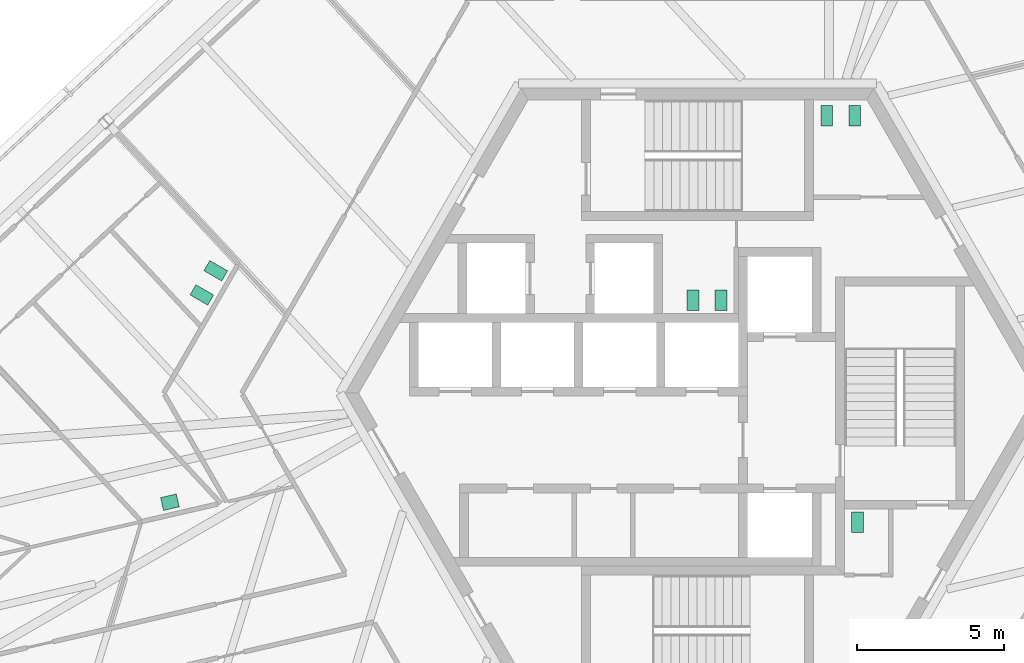
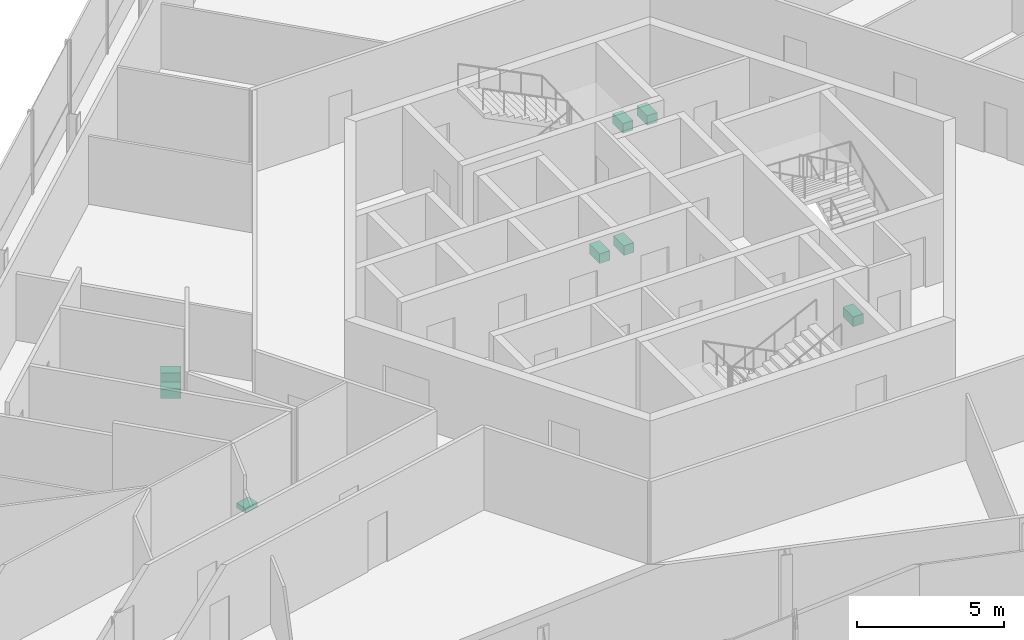
# One storey, part 22 of 24: 8 sanitary terminals.
"""IFC4 building model written with IfcOpenShell, lengths in metres."""

import ifcopenshell
import ifcopenshell.guid

model = None  # the IFC model being written
_history = None  # IfcOwnerHistory: only IFC2X3 demands one
_inside = {}  # id of a spatial element -> (the spatial element, [elements in it])
_under = {}  # id of a project, library or spatial element -> (it, [spatial elements below it])
_declared = {}  # id of a project -> (the project, [libraries it declares])
_typed = {}  # id of a type object -> (the type object, [elements of that type])
_made_of = {}  # id of a material, layer set ... -> (it, [elements and type objects made of it])


def new_model(schema):
    """Start an empty IFC model of exactly this schema.

    Asked for "IFC4X3", IfcOpenShell would pick the latest addendum, in which some entities
    have other attributes; the version numbers below select the first issue.
    IFC2X3 requires an IfcOwnerHistory on every rooted entity: one is made here for all.
    """
    global model, _history
    if schema == "IFC4X3":
        model = ifcopenshell.file(schema_version=(4, 3, 0, 0))
    else:
        model = ifcopenshell.file(schema=schema)
    _inside.clear()
    _under.clear()
    _declared.clear()
    _typed.clear()
    _made_of.clear()
    _history = None
    if model.schema == "IFC2X3":
        org = make("IfcOrganization", Name="unknown")
        user = make(
            "IfcPersonAndOrganization",
            ThePerson=make("IfcPerson", FamilyName="unknown"),
            TheOrganization=org,
        )
        app = make(
            "IfcApplication",
            ApplicationDeveloper=org,
            Version="unknown",
            ApplicationFullName="unknown",
            ApplicationIdentifier="unknown",
        )
        _history = make(
            "IfcOwnerHistory",
            OwningUser=user,
            OwningApplication=app,
            ChangeAction="ADDED",
            CreationDate=0,
        )
    return model


def make(cls, **values):
    """One entity of the class cls with the attributes given. An attribute that is None is left unset."""
    return model.create_entity(
        cls, **{name: value for name, value in values.items() if value is not None}
    )


def rooted(cls, **values):
    """An entity with a GlobalId (a new one), such as an element, a storey or a relation."""
    return make(cls, GlobalId=ifcopenshell.guid.new(), OwnerHistory=_history, **values)


def si_unit(unit_type, name, prefix=None):
    """IfcSIUnit, for example si_unit("LENGTHUNIT", "METRE", prefix="MILLI")."""
    return make("IfcSIUnit", UnitType=unit_type, Prefix=prefix, Name=name)


def assignment(units):
    """IfcUnitAssignment: the units of a project."""
    return None if units is None else make("IfcUnitAssignment", Units=units)


def point(xyz):
    """IfcCartesianPoint."""
    return None if xyz is None else make("IfcCartesianPoint", Coordinates=xyz)


def direction(xyz):
    """IfcDirection."""
    return None if xyz is None else make("IfcDirection", DirectionRatios=xyz)


def frame(location, z_axis=None, x_axis=None):
    """IfcAxis2Placement3D, a coordinate frame: its origin and axes. An axis left out is left unset."""
    return make(
        "IfcAxis2Placement3D",
        Location=point(location),
        Axis=direction(z_axis),
        RefDirection=direction(x_axis),
    )


def frame_2d(location, x_axis=None):
    """IfcAxis2Placement2D, a coordinate frame in the plane: its origin and x axis."""
    return make(
        "IfcAxis2Placement2D", Location=point(location), RefDirection=direction(x_axis)
    )


def origin():
    """The frame at (0, 0, 0) with its axes left unset."""
    return frame((0.0, 0.0, 0.0))


def origin_2d():
    """The frame at (0, 0) in the plane with its x axis left unset."""
    return frame_2d((0.0, 0.0))


def place(relative_to, where):
    """IfcLocalPlacement: puts the frame where relative to a parent placement (None: the world)."""
    return make(
        "IfcLocalPlacement", PlacementRelTo=relative_to, RelativePlacement=where
    )


def context(
    kind, dimensions, precision=None, world=None, true_north=None, identifier=None
):
    """IfcGeometricRepresentationContext, for example the 3D "Model" context."""
    return make(
        "IfcGeometricRepresentationContext",
        ContextIdentifier=identifier,
        ContextType=kind,
        CoordinateSpaceDimension=dimensions,
        Precision=precision,
        WorldCoordinateSystem=world,
        TrueNorth=true_north,
    )


def subcontext(parent, identifier, kind, view, scale=None):
    """IfcGeometricRepresentationSubContext, for example "Body" below "Model"."""
    return make(
        "IfcGeometricRepresentationSubContext",
        ContextIdentifier=identifier,
        ContextType=kind,
        ParentContext=parent,
        TargetScale=scale,
        TargetView=view,
    )


def project(units=None, contexts=None):
    """IfcProject with its units and contexts."""
    return rooted(
        "IfcProject",
        Name="project",
        RepresentationContexts=contexts,
        UnitsInContext=assignment(units),
    )


def spatial(cls, under=None, at=None, **own):
    """A site, building, storey or space (cls), placed at a placement, below another one or the project."""
    s = rooted(cls, ObjectPlacement=at, **own)
    if under is not None:
        _under.setdefault(under.id(), (under, []))[1].append(s)
    return s


def profile(cls, at=None, kind="AREA", **sizes):
    """A parametric profile (cls). Its sizes go by their IFC names, for example OverallWidth=200.0."""
    return make(cls, ProfileType=kind, Position=at, **sizes)


def rectangle(**sizes):
    """IfcRectangleProfileDef."""
    return profile("IfcRectangleProfileDef", **sizes)


def extrude(swept, where, along, depth):
    """IfcExtrudedAreaSolid: the profile swept, set in the frame where, extruded along a direction by depth."""
    return make(
        "IfcExtrudedAreaSolid",
        SweptArea=swept,
        Position=where,
        ExtrudedDirection=direction(along),
        Depth=depth,
    )


def shape(context_of_items, identifier, shape_type, items):
    """IfcShapeRepresentation: the items that make up one representation, for example the "Body"."""
    return make(
        "IfcShapeRepresentation",
        ContextOfItems=context_of_items,
        RepresentationIdentifier=identifier,
        RepresentationType=shape_type,
        Items=items,
    )


def source(mapping_origin, context_of_items, identifier, shape_type, items):
    """IfcRepresentationMap: a shape defined once, which mapped items show again and again."""
    return make(
        "IfcRepresentationMap",
        MappingOrigin=mapping_origin,
        MappedRepresentation=shape(context_of_items, identifier, shape_type, items),
    )


def transform(
    local_origin,
    x_axis=None,
    y_axis=None,
    z_axis=None,
    scale=None,
    scale2=None,
    scale3=None,
    uniform=True,
):
    """IfcCartesianTransformationOperator3D, or its non-uniform kind. x_axis, y_axis, z_axis: its Axis1, 2, 3."""
    if uniform:
        return make(
            "IfcCartesianTransformationOperator3D",
            Axis1=direction(x_axis),
            Axis2=direction(y_axis),
            LocalOrigin=point(local_origin),
            Scale=scale,
            Axis3=direction(z_axis),
        )
    return make(
        "IfcCartesianTransformationOperator3DnonUniform",
        Axis1=direction(x_axis),
        Axis2=direction(y_axis),
        LocalOrigin=point(local_origin),
        Scale=scale,
        Axis3=direction(z_axis),
        Scale2=scale2,
        Scale3=scale3,
    )


def mapped(mapping_source, mapping_target):
    """IfcMappedItem: shows the shape of a source again, moved by a transform."""
    return make(
        "IfcMappedItem", MappingSource=mapping_source, MappingTarget=mapping_target
    )


def material(Name=None, Category=None):
    """IfcMaterial."""
    return make("IfcMaterial", Name=Name, Category=Category)


def made_of(thing, what):
    """Note that an element or type object is made of a material, layer set ...; save() writes the relation."""
    if what is not None:
        _made_of.setdefault(what.id(), (what, []))[1].append(thing)
    return thing


def element(
    cls,
    number,
    at=None,
    inside=None,
    cuts=None,
    type_object=None,
    material=None,
    context=None,
    identifier="Body",
    shape_type=None,
    held_by="IfcProductDefinitionShape",
    body=None,
    shapes=None,
    **own,
):
    """One element of the class cls, such as IfcWall. Its Tag is "e" and its number.

    at: its placement. inside: the storey or other place that contains it. cuts: it is an
    opening in that element (IfcRelVoidsElement). A single representation is given by context,
    identifier, shape_type and body (its items); several are given by shapes. held_by: the class
    of the entity that holds the representations. save() writes the other relations.
    """
    e = rooted(cls, Tag="e%d" % number, ObjectPlacement=at, **own)
    if body is not None:
        shapes = [shape(context, identifier, shape_type, body)]
    if shapes is not None:
        e.Representation = make(held_by, Representations=shapes)
    if inside is not None:
        _inside.setdefault(inside.id(), (inside, []))[1].append(e)
    if cuts is not None:
        rooted(
            "IfcRelVoidsElement", RelatingBuildingElement=cuts, RelatedOpeningElement=e
        )
    if type_object is not None:
        _typed.setdefault(type_object.id(), (type_object, []))[1].append(e)
    return made_of(e, material)


def aggregate(whole, parts):
    """IfcRelAggregates: a whole, such as a stair, and the parts it consists of."""
    return rooted("IfcRelAggregates", RelatingObject=whole, RelatedObjects=parts)


def save(model, path):
    """Write the relations noted so far, then the file.

    IfcRelAggregates (storeys below a building ...), IfcRelContainedInSpatialStructure (elements
    in a storey), IfcRelDefinesByType, IfcRelAssociatesMaterial and IfcRelDeclares: one each for
    every whole, place, type object, material and project.
    """
    for whole, parts in _under.values():
        aggregate(whole, parts)
    for where, things in _inside.values():
        rooted(
            "IfcRelContainedInSpatialStructure",
            RelatedElements=things,
            RelatingStructure=where,
        )
    for kind, things in _typed.values():
        rooted("IfcRelDefinesByType", RelatedObjects=things, RelatingType=kind)
    for what, things in _made_of.values():
        rooted("IfcRelAssociatesMaterial", RelatedObjects=things, RelatingMaterial=what)
    for by, libraries in _declared.values():
        rooted("IfcRelDeclares", RelatingContext=by, RelatedDefinitions=libraries)
    model.write(path)


model = new_model("IFC4")

# Units and contexts
model_context = context("Model", 3, precision=1e-05, world=origin(), true_north=direction((0.0, 1.0)))
body_context = subcontext(model_context, "Body", "Model", "MODEL_VIEW")
ifc_project = project(units=[si_unit("LENGTHUNIT", "METRE"), si_unit("AREAUNIT", "SQUARE_METRE"), si_unit("VOLUMEUNIT", "CUBIC_METRE"), si_unit("PLANEANGLEUNIT", "RADIAN"), si_unit("MASSUNIT", "GRAM", prefix="KILO")], contexts=[model_context])

# Site, building, storey
site_placement = place(None, origin())
site = spatial("IfcSite", under=ifc_project, at=site_placement, CompositionType="ELEMENT")
building_placement = place(site_placement, origin())
building = spatial("IfcBuilding", under=site, at=building_placement, Name="Triune Harvest Tower", CompositionType="ELEMENT")
storey_placement = place(building_placement, frame((0.0, 0.0, 127.10009765625)))
storey = spatial("IfcBuildingStorey", under=building, at=storey_placement, Name="L32", CompositionType="ELEMENT", Elevation=127.10009765625)

# Sanitary terminals
ifc_material = material(Name="Vitreous china")
shared_shape_1 = source(origin(), body_context, "Body", "SweptSolid", [
    extrude(rectangle(XDim=0.39990234375, YDim=0.699951171875, at=origin_2d()), origin(), (0.0, 0.0, 1.0), 0.39990234375),
])
for number, where, z_axis, x_axis, name in (
    (1, (4.39990234375, 9.449951171875, 0.0), (0.0, 0.0, 1.0), (1.0, 0.0, 0.0), "Toilet pan L32.c01"),
    (2, (5.35009765625, 9.449951171875, 0.0), (0.0, 0.0, 1.0), (1.0, 0.0, 0.0), "Toilet pan L32.c02"),
    (3, (0.800048828125, 3.159912109375, 0.0), (0.0, 0.0, 1.0), (-1.0, 0.0, 0.0), "Toilet pan L32.c03"),
    (4, (-0.14990234375, 3.159912109375, 0.0), (0.0, 0.0, 1.0), (-1.0, 0.0, 0.0), "Toilet pan L32.c04"),
    (5, (5.449951171875, -4.39990234375, 0.0), (0.0, 0.0, 1.0), (1.0, 0.0, 0.0), "Toilet pan L32.c05"),
    (6, (-16.4052734375, 4.169677734375, 0.0), (0.0, 0.0, 1.0), (-0.500030229685, -0.866007949964, 0.0), "Toilet pan 01"),
    (7, (-16.88037109375, 3.346923828125, 0.0), (0.0, 0.0, 1.0), (-0.500030229685, -0.866007949964, 0.0), "Toilet pan 02"),
):
    element("IfcSanitaryTerminal", number, at=place(storey_placement, frame(where, z_axis=z_axis, x_axis=x_axis)), inside=storey, material=ifc_material, Name=name, PredefinedType="TOILETPAN", context=body_context, shape_type="MappedRepresentation", body=[
        mapped(shared_shape_1, transform((0.0, 0.0, 0.0), scale=1.0)),
    ])
shared_shape_2 = source(origin(), body_context, "Body", "SweptSolid", [
    extrude(rectangle(XDim=0.550048828125, YDim=0.449951171875, at=origin_2d()), origin(), (0.0, 0.0, 1.0), 0.199951171875),
])
sanitary_terminal_placement = place(storey_placement, frame((-17.966552734375, -3.711669921875, 0.0), z_axis=(0.0, 0.0, 1.0), x_axis=(-0.9743661385, -0.224968060275, 0.0)))
element("IfcSanitaryTerminal", 8, at=sanitary_terminal_placement, inside=storey, material=ifc_material, Name="Wash basin 03", PredefinedType="WASHHANDBASIN", context=body_context, shape_type="MappedRepresentation", body=[
    mapped(shared_shape_2, transform((0.0, 0.0, 0.0), scale=1.0)),
])

save(model, "model.ifc")
